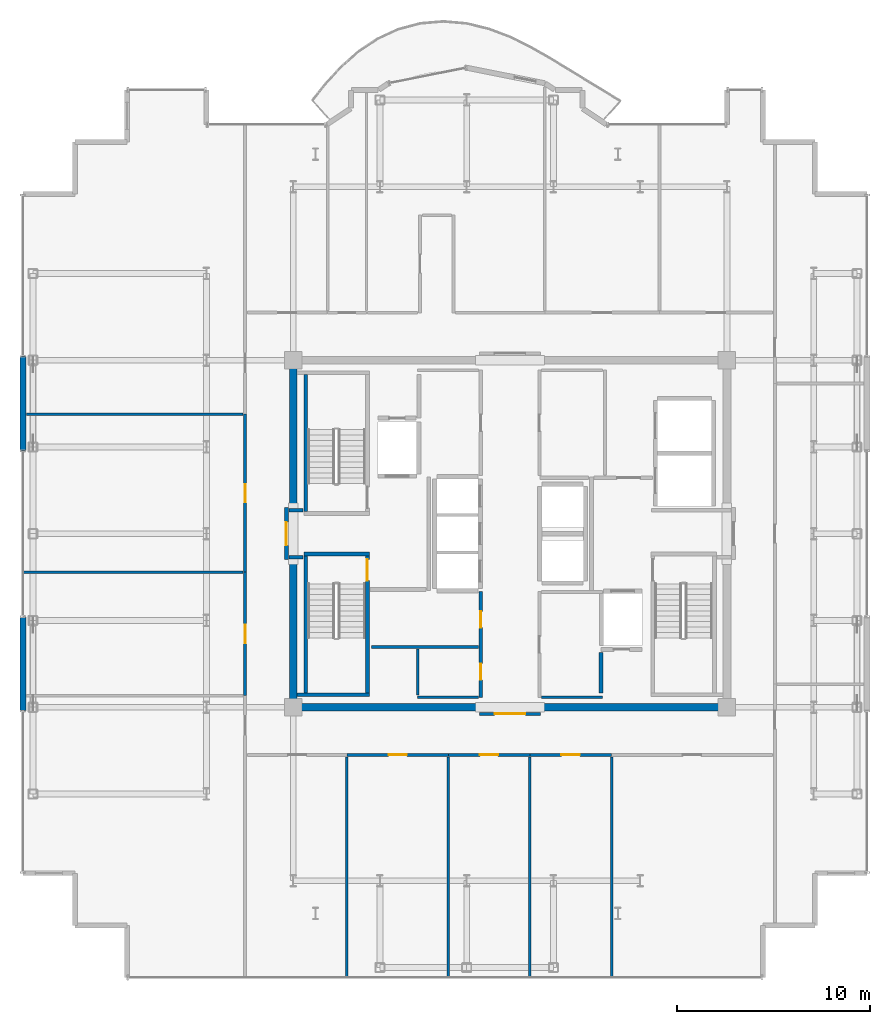
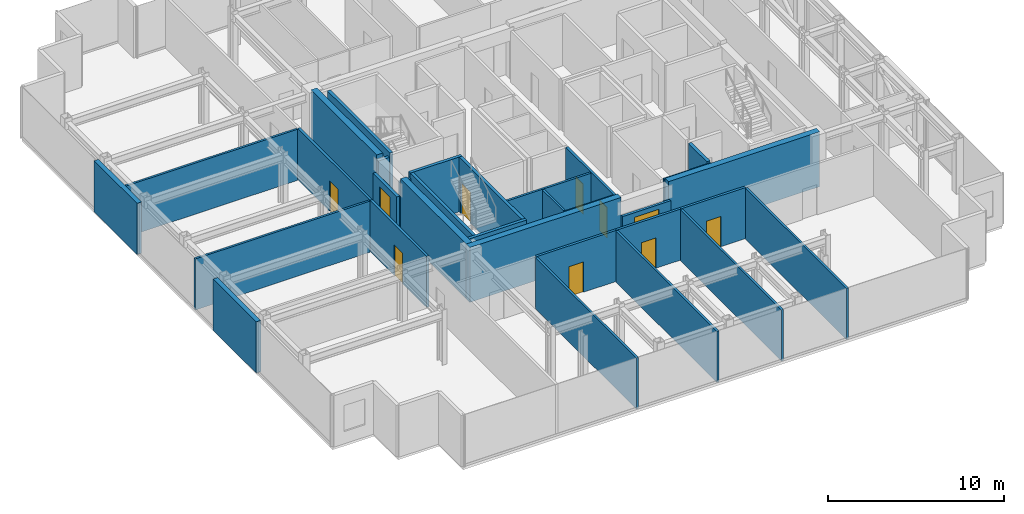
# One storey, part 11 of 16: 32 walls, 10 doors, 10 openings.
"""IFC4 building model written with IfcOpenShell, lengths in metres."""

from ifc_helpers import new_model, si_unit, direction, frame, frame_2d, origin, place, context, subcontext, project, spatial, rectangle, extrude, source, transform, mapped, material, layer, layer_set, type_object, element, fill, save


model = new_model("IFC4")

# Units and contexts
model_context = context("Model", 3, precision=1e-05, world=origin(), true_north=direction((0.0, 1.0)))
body_context = subcontext(model_context, "Body", "Model", "MODEL_VIEW")
ifc_project = project(units=[si_unit("LENGTHUNIT", "METRE"), si_unit("AREAUNIT", "SQUARE_METRE"), si_unit("VOLUMEUNIT", "CUBIC_METRE"), si_unit("PLANEANGLEUNIT", "RADIAN"), si_unit("MASSUNIT", "GRAM", prefix="KILO")], contexts=[model_context])

# Site, building, storey
site_placement = place(None, origin())
site = spatial("IfcSite", under=ifc_project, at=site_placement, CompositionType="ELEMENT")
building_placement = place(site_placement, origin())
building = spatial("IfcBuilding", under=site, at=building_placement, Name="Nefas-Gora Pilgrimage Tower", CompositionType="ELEMENT")
storey_placement = place(building_placement, frame((0.0, 0.0, 322.39990234375)))
storey = spatial("IfcBuildingStorey", under=building, at=storey_placement, Name="L81", CompositionType="ELEMENT", Elevation=322.39990234375)

# Walls
ifc_material_1 = material(Name="Concrete C50/60", Category="concrete")
ifc_layer_1 = layer(ifc_material_1, 0.39990234375)
ifc_layer_set_1 = layer_set([ifc_layer_1], Name="Concrete C50/60")
wall_type_1 = type_object("IfcWallType", Name="SW-CORE-400", PredefinedType="SHEAR", material=ifc_layer_set_1)
shared_shape_1 = source(origin(), body_context, "Body", "SweptSolid", [
    extrude(rectangle(XDim=9.89990234375, YDim=0.39990234375, at=frame_2d((4.949951171875, 0.0))), origin(), (0.0, 0.0, 1.0), 3.800048828125),
])
for number, where, z_axis, x_axis, name in (
    (1, (-11.449951171875, -9.0, 0.0), (0.0, 0.0, 1.0), (1.0, 0.0, 0.0), "L81 Core Shear Wall S-West"),
    (2, (1.550048828125, -9.0, 0.0), (0.0, 0.0, 1.0), (1.0, 0.0, 0.0), "L81 Core Shear Wall S-East"),
):
    element("IfcWall", number, at=place(storey_placement, frame(where, z_axis=z_axis, x_axis=x_axis)), inside=storey, type_object=wall_type_1, Name=name, PredefinedType="SHEAR", context=body_context, shape_type="MappedRepresentation", body=[
        mapped(shared_shape_1, transform((0.0, 0.0, 0.0), x_axis=(1.0, 0.0, 0.0), y_axis=(0.0, 1.0, 0.0), z_axis=(0.0, 0.0, 1.0), scale=1.0)),
    ])
shared_shape_2 = source(origin(), body_context, "Body", "SweptSolid", [
    extrude(rectangle(XDim=7.449951171875, YDim=0.39990234375, at=frame_2d((3.72509765625, 0.0))), origin(), (0.0, 0.0, 1.0), 3.800048828125),
])
for number, where, z_axis, x_axis, name in (
    (3, (-11.25, -8.800048828125, 0.0), (0.0, 0.0, 1.0), (0.0, 1.0, 0.0), "L81 Core Shear Wall W-South"),
    (4, (-11.25, 1.35009765625, 0.0), (0.0, 0.0, 1.0), (0.0, 1.0, 0.0), "L81 Core Shear Wall W-North"),
):
    element("IfcWall", number, at=place(storey_placement, frame(where, z_axis=z_axis, x_axis=x_axis)), inside=storey, type_object=wall_type_1, Name=name, PredefinedType="SHEAR", context=body_context, shape_type="MappedRepresentation", body=[
        mapped(shared_shape_2, transform((0.0, 0.0, 0.0), x_axis=(1.0, 0.0, 0.0), y_axis=(0.0, 1.0, 0.0), z_axis=(0.0, 0.0, 1.0), scale=1.0)),
    ])
ifc_material_2 = material(Name="Precast concrete C45/55", Category="concrete")
ifc_layer_2 = layer(ifc_material_2, 0.239990234375)
ifc_layer_set_2 = layer_set([ifc_layer_2], Name="Precast concrete C45/55")
wall_type_2 = type_object("IfcWallType", Name="EW-SERR-240", PredefinedType="SHEAR", material=ifc_layer_set_2)
shared_shape_3 = source(origin(), body_context, "Body", "SweptSolid", [
    extrude(rectangle(XDim=4.8798828125, YDim=0.300048828125, at=frame_2d((2.43994140625, 0.0))), origin(), (0.0, 0.0, 1.0), 3.550048828125),
])
for number, where, z_axis, x_axis, name in (
    (5, (-25.27001953125, -9.18994140625, 0.0), (0.0, 0.0, 1.0), (0.0, 1.0, 0.0), "L81 Braced-Tube Precast Shear Cladding 1"),
    (6, (-25.27001953125, 4.31005859375, 0.0), (0.0, 0.0, 1.0), (0.0, 1.0, 0.0), "L81 Braced-Tube Precast Shear Cladding 2"),
):
    element("IfcWall", number, at=place(storey_placement, frame(where, z_axis=z_axis, x_axis=x_axis)), inside=storey, type_object=wall_type_2, Name=name, PredefinedType="SHEAR", context=body_context, shape_type="MappedRepresentation", body=[
        mapped(shared_shape_3, transform((0.0, 0.0, 0.0), x_axis=(1.0, 0.0, 0.0), y_axis=(0.0, 1.0, 0.0), z_axis=(0.0, 0.0, 1.0), scale=1.0)),
    ])
ifc_material_3 = material(Name="Concrete C45/55", Category="concrete")
ifc_layer_3 = layer(ifc_material_3, 0.199951171875)
ifc_layer_set_3 = layer_set([ifc_layer_3], Name="Concrete C45/55")
wall_type_3 = type_object("IfcWallType", Name="IW-STAIR-200", PredefinedType="SOLIDWALL", material=ifc_layer_set_3)
shared_shape_4 = source(origin(), body_context, "Body", "SweptSolid", [
    extrude(rectangle(XDim=3.39990234375, YDim=0.199951171875, at=frame_2d((1.699951171875, 0.0))), origin(), (0.0, 0.0, 1.0), 3.800048828125),
])
wall_1_placement = place(storey_placement, frame((-10.699951171875, -1.050048828125, 0.0), z_axis=(0.0, 0.0, 1.0), x_axis=(1.0, 0.0, 0.0)))
element("IfcWall", 7, at=wall_1_placement, inside=storey, type_object=wall_type_3, Name="L81 Stairwell Shear Wall ST-03-near", PredefinedType="SOLIDWALL", context=body_context, shape_type="MappedRepresentation", body=[
    mapped(shared_shape_4, transform((0.0, 0.0, 0.0), x_axis=(1.0, 0.0, 0.0), y_axis=(0.0, 1.0, 0.0), z_axis=(0.0, 0.0, 1.0), scale=1.0)),
])
shared_shape_5 = source(origin(), body_context, "Body", "SweptSolid", [
    extrude(rectangle(XDim=7.10009765625, YDim=0.199951171875, at=frame_2d((3.550048828125, 0.0))), origin(), (0.0, 0.0, 1.0), 3.800048828125),
])
for number, where, z_axis, x_axis, name in (
    (8, (-10.60009765625, 1.14990234375, 0.0), (0.0, 0.0, 1.0), (0.0, 1.0, 0.0), "L81 Stairwell Shear Wall ST-01-right"),
    (9, (-10.60009765625, -1.14990234375, 0.0), (0.0, 0.0, 1.0), (0.0, -1.0, 0.0), "L81 Stairwell Shear Wall ST-03-left"),
):
    element("IfcWall", number, at=place(storey_placement, frame(where, z_axis=z_axis, x_axis=x_axis)), inside=storey, type_object=wall_type_3, Name=name, PredefinedType="SOLIDWALL", context=body_context, shape_type="MappedRepresentation", body=[
        mapped(shared_shape_5, transform((0.0, 0.0, 0.0), x_axis=(1.0, 0.0, 0.0), y_axis=(0.0, 1.0, 0.0), z_axis=(0.0, 0.0, 1.0), scale=1.0)),
    ])

# Wall, opening, door
wall_2_placement = place(storey_placement, frame((-7.39990234375, -1.14990234375, 0.0), z_axis=(0.0, 0.0, 1.0), x_axis=(0.0, -1.0, 0.0)))
wall_2 = element("IfcWall", 10, at=wall_2_placement, inside=storey, type_object=wall_type_3, Name="L81 Stairwell Shear Wall ST-03-right", PredefinedType="SOLIDWALL", context=body_context, shape_type="MappedRepresentation", body=[
    mapped(shared_shape_5, transform((0.0, 0.0, 0.0), x_axis=(1.0, 0.0, 0.0), y_axis=(0.0, 1.0, 0.0), z_axis=(0.0, 0.0, 1.0), scale=1.0)),
])
opening_1_placement = place(wall_2_placement, frame((0.179931640625, 0.0, 0.0)))
opening_1 = element("IfcOpeningElement", 11, at=opening_1_placement, cuts=wall_2, Name="Opening ID-ST1", PredefinedType="OPENING", context=body_context, shape_type="SweptSolid", body=[
    extrude(rectangle(XDim=1.10009765625, YDim=2.14990234375, at=frame_2d((0.550048828125, 1.074951171875))), frame((0.0, 0.10986328125, 0.0), z_axis=(0.0, -1.0, 0.0), x_axis=(1.0, 0.0, 0.0)), (0.0, 0.0, 1.0), 0.219970703125),
])
ifc_material_4 = material(Name="Painted galvanised steel fire stair door", Category="steel")
door_type_1 = type_object("IfcDoorType", Name="DR-INT-STAIR-1100", OperationType="NOTDEFINED", PredefinedType="DOOR", material=ifc_material_4)
shared_shape_6 = source(origin(), body_context, "Body", "SweptSolid", [
    extrude(rectangle(XDim=1.10009765625, YDim=2.14990234375, at=frame_2d((0.550048828125, 1.074951171875))), frame((0.0, 0.02490234375, 0.0), z_axis=(0.0, -1.0, 0.0), x_axis=(1.0, 0.0, 0.0)), (0.0, 0.0, 1.0), 0.050048828125),
])
door_1_placement = place(opening_1_placement, origin())
door_1 = element("IfcDoor", 12, at=door_1_placement, inside=storey, type_object=door_type_1, Name="L81 Protected Exit Stair Door ST-03", OperationType="SINGLE_SWING_LEFT", OverallHeight=2.14990234375, OverallWidth=1.10009765625, PredefinedType="DOOR", context=body_context, shape_type="MappedRepresentation", body=[
    mapped(shared_shape_6, transform((0.0, 0.0, 0.0), x_axis=(1.0, 0.0, 0.0), y_axis=(0.0, 1.0, 0.0), z_axis=(0.0, 0.0, 1.0), scale=1.0)),
])
fill(opening_1, door_1)

# Walls
shared_shape_7 = source(origin(), body_context, "Body", "SweptSolid", [
    extrude(rectangle(XDim=3.7548828125, YDim=0.199951171875, at=frame_2d((1.87744140625, 0.0))), origin(), (0.0, 0.0, 1.0), 3.800048828125),
])
wall_3_placement = place(storey_placement, frame((-11.054931640625, -8.35009765625, 0.0), z_axis=(0.0, 0.0, 1.0), x_axis=(1.0, 0.0, 0.0)))
element("IfcWall", 13, at=wall_3_placement, inside=storey, type_object=wall_type_3, Name="L81 Stairwell Shear Wall ST-03-far", PredefinedType="SOLIDWALL", context=body_context, shape_type="MappedRepresentation", body=[
    mapped(shared_shape_7, transform((0.0, 0.0, 0.0), x_axis=(1.0, 0.0, 0.0), y_axis=(0.0, 1.0, 0.0), z_axis=(0.0, 0.0, 1.0), scale=1.0)),
])
ifc_material_5 = material(Name="Gypsum fire-rated shaftwall")
ifc_layer_4 = layer(ifc_material_5, 0.199951171875)
ifc_layer_set_4 = layer_set([ifc_layer_4], Name="Gypsum fire-rated shaftwall")
wall_type_4 = type_object("IfcWallType", Name="IW-FFLOB-200", PredefinedType="PARTITIONING", material=ifc_layer_set_4)
shared_shape_8 = source(origin(), body_context, "Body", "SweptSolid", [
    extrude(rectangle(XDim=0.719970703125, YDim=0.199951171875, at=frame_2d((0.35986328125, 0.0))), origin(), (0.0, 0.0, 1.0), 3.53515625),
])
for number, where, z_axis, x_axis, name in (
    (14, (-11.4599609375, 1.219970703125, 0.0), (0.0, 0.0, 1.0), (1.0, 0.0, 0.0), "L81 FF Lobby West Throat N Wall 8"),
    (15, (-11.4599609375, -1.219970703125, 0.0), (0.0, 0.0, 1.0), (1.0, 0.0, 0.0), "L81 FF Lobby West Throat S Wall 9"),
):
    element("IfcWall", number, at=place(storey_placement, frame(where, z_axis=z_axis, x_axis=x_axis)), inside=storey, type_object=wall_type_4, Name=name, PredefinedType="PARTITIONING", context=body_context, shape_type="MappedRepresentation", body=[
        mapped(shared_shape_8, transform((0.0, 0.0, 0.0), x_axis=(1.0, 0.0, 0.0), y_axis=(0.0, 1.0, 0.0), z_axis=(0.0, 0.0, 1.0), scale=1.0)),
    ])
ifc_material_6 = material(Name="Gypsum twin-stud partition")
ifc_layer_5 = layer(ifc_material_6, 0.139892578125)
ifc_layer_set_5 = layer_set([ifc_layer_5], Name="Gypsum twin-stud partition")
wall_type_5 = type_object("IfcWallType", Name="IW-UNIT-140", PredefinedType="PARTITIONING", material=ifc_layer_set_5)
shared_shape_9 = source(origin(), body_context, "Body", "SweptSolid", [
    extrude(rectangle(XDim=3.150146484375, YDim=0.139892578125, at=frame_2d((1.5751953125, 0.0))), origin(), (0.0, 0.0, 1.0), 3.53515625),
])
for number, where, z_axis, x_axis, name in (
    (16, (-4.7900390625, -8.47998046875, 0.0), (0.0, 0.0, 1.0), (1.0, 0.0, 0.0), "L81 Freed Bank-2 West Supply Vault Partition Wall 25"),
    (17, (1.639892578125, -8.47998046875, 0.0), (0.0, 0.0, 1.0), (1.0, 0.0, 0.0), "L81 Freed Bank-2 East Linen Store Partition Wall 29"),
):
    element("IfcWall", number, at=place(storey_placement, frame(where, z_axis=z_axis, x_axis=x_axis)), inside=storey, type_object=wall_type_5, Name=name, PredefinedType="PARTITIONING", context=body_context, shape_type="MappedRepresentation", body=[
        mapped(shared_shape_9, transform((0.0, 0.0, 0.0), x_axis=(1.0, 0.0, 0.0), y_axis=(0.0, 1.0, 0.0), z_axis=(0.0, 0.0, 1.0), scale=1.0)),
    ])
shared_shape_10 = source(origin(), body_context, "Body", "SweptSolid", [
    extrude(rectangle(XDim=11.429931640625, YDim=0.139892578125, at=frame_2d((5.71484375, 0.0))), origin(), (0.0, 0.0, 1.0), 3.53515625),
])
wall_4_placement = place(storey_placement, frame((-25.2900390625, -2.0048828125, 0.0), z_axis=(0.0, 0.0, 1.0), x_axis=(1.0, 0.0, 0.0)))
element("IfcWall", 18, at=wall_4_placement, inside=storey, type_object=wall_type_5, Name="L81 Pilgrim Tea and Beverage Pantry Partition Wall 36", PredefinedType="PARTITIONING", context=body_context, shape_type="MappedRepresentation", body=[
    mapped(shared_shape_10, transform((0.0, 0.0, 0.0), x_axis=(1.0, 0.0, 0.0), y_axis=(0.0, 1.0, 0.0), z_axis=(0.0, 0.0, 1.0), scale=1.0)),
])

# Wall, openings, doors
ifc_material_7 = material(Name="Gypsum acoustic stud partition")
ifc_layer_6 = layer(ifc_material_7, 0.159912109375)
ifc_layer_set_6 = layer_set([ifc_layer_6], Name="Gypsum acoustic stud partition")
wall_type_6 = type_object("IfcWallType", Name="IW-CORR-160", PredefinedType="PARTITIONING", material=ifc_layer_set_6)
shared_shape_11 = source(origin(), body_context, "Body", "SweptSolid", [
    extrude(rectangle(XDim=5.47998046875, YDim=0.159912109375, at=frame_2d((2.739990234375, 0.0))), origin(), (0.0, 0.0, 1.0), 3.53515625),
])
wall_5_placement = place(storey_placement, frame((-1.52001953125, -8.489990234375, 0.0), z_axis=(0.0, 0.0, 1.0), x_axis=(0.0, 1.0, 0.0)))
wall_5 = element("IfcWall", 19, at=wall_5_placement, inside=storey, type_object=wall_type_6, Name="L81 Pilgrim Baggage and Gear Vault Wall 21", PredefinedType="PARTITIONING", context=body_context, shape_type="MappedRepresentation", body=[
    mapped(shared_shape_11, transform((0.0, 0.0, 0.0), x_axis=(1.0, 0.0, 0.0), y_axis=(0.0, 1.0, 0.0), z_axis=(0.0, 0.0, 1.0), scale=1.0)),
])
opening_2_placement = place(wall_5_placement, frame((0.907470703125, 0.0, 0.0)))
opening_2 = element("IfcOpeningElement", 20, at=opening_2_placement, cuts=wall_5, Name="Opening ID-BT1", PredefinedType="OPENING", context=body_context, shape_type="SweptSolid", body=[
    extrude(rectangle(XDim=0.85009765625, YDim=2.10009765625, at=frame_2d((0.425048828125, 1.050048828125))), frame((0.0, 0.08984375, 0.0), z_axis=(0.0, -1.0, 0.0), x_axis=(1.0, 0.0, 0.0)), (0.0, 0.0, 1.0), 0.179931640625),
])
opening_3_placement = place(wall_5_placement, frame((3.614990234375, 0.0, 0.0)))
opening_3 = element("IfcOpeningElement", 21, at=opening_3_placement, cuts=wall_5, Name="Opening ID-BT1", PredefinedType="OPENING", context=body_context, shape_type="SweptSolid", body=[
    extrude(rectangle(XDim=0.85009765625, YDim=2.10009765625, at=frame_2d((0.425048828125, 1.050048828125))), frame((0.0, 0.08984375, 0.0), z_axis=(0.0, -1.0, 0.0), x_axis=(1.0, 0.0, 0.0)), (0.0, 0.0, 1.0), 0.179931640625),
])
ifc_material_8 = material(Name="Moisture-resistant fire-rated timber door", Category="wood")
door_type_2 = type_object("IfcDoorType", Name="DR-INT-BATH-850", OperationType="NOTDEFINED", PredefinedType="DOOR", material=ifc_material_8)
shared_shape_12 = source(origin(), body_context, "Body", "SweptSolid", [
    extrude(rectangle(XDim=0.85009765625, YDim=2.10009765625, at=frame_2d((0.425048828125, 1.050048828125))), frame((0.0, 0.02490234375, 0.0), z_axis=(0.0, -1.0, 0.0), x_axis=(1.0, 0.0, 0.0)), (0.0, 0.0, 1.0), 0.050048828125),
])
door_2_placement = place(opening_2_placement, origin())
door_2 = element("IfcDoor", 22, at=door_2_placement, inside=storey, type_object=door_type_2, Name="L81 Freed Bank-2 West Supply Vault Door 9", OperationType="SINGLE_SWING_RIGHT", OverallHeight=2.10009765625, OverallWidth=0.85009765625, PredefinedType="DOOR", context=body_context, shape_type="MappedRepresentation", body=[
    mapped(shared_shape_12, transform((0.0, 0.0, 0.0), x_axis=(1.0, 0.0, 0.0), y_axis=(0.0, 1.0, 0.0), z_axis=(0.0, 0.0, 1.0), scale=1.0)),
])
fill(opening_2, door_2)
door_3_placement = place(opening_3_placement, origin())
door_3 = element("IfcDoor", 23, at=door_3_placement, inside=storey, type_object=door_type_2, Name="L81 Pilgrim Baggage and Gear Vault Door 10", OperationType="SINGLE_SWING_LEFT", OverallHeight=2.10009765625, OverallWidth=0.85009765625, PredefinedType="DOOR", context=body_context, shape_type="MappedRepresentation", body=[
    mapped(shared_shape_12, transform((0.0, 0.0, 0.0), x_axis=(1.0, 0.0, 0.0), y_axis=(0.0, 1.0, 0.0), z_axis=(0.0, 0.0, 1.0), scale=1.0)),
])
fill(opening_3, door_3)

# Wall
shared_shape_13 = source(origin(), body_context, "Body", "SweptSolid", [
    extrude(rectangle(XDim=11.219970703125, YDim=0.139892578125, at=frame_2d((5.60986328125, 0.0))), origin(), (0.0, 0.0, 1.0), 3.53515625),
])
wall_6_placement = place(storey_placement, frame((-25.080078125, 6.195068359375, 0.0), z_axis=(0.0, 0.0, 1.0), x_axis=(1.0, 0.0, 0.0)))
element("IfcWall", 24, at=wall_6_placement, inside=storey, type_object=wall_type_5, Name="L81 Pilgrim Tea and Beverage Pantry Partition Wall 38", PredefinedType="PARTITIONING", context=body_context, shape_type="MappedRepresentation", body=[
    mapped(shared_shape_13, transform((0.0, 0.0, 0.0), x_axis=(1.0, 0.0, 0.0), y_axis=(0.0, 1.0, 0.0), z_axis=(0.0, 0.0, 1.0), scale=1.0)),
])

# Wall, opening, door
shared_shape_14 = source(origin(), body_context, "Body", "SweptSolid", [
    extrude(rectangle(XDim=2.7001953125, YDim=0.199951171875, at=frame_2d((1.35009765625, 0.0))), origin(), (0.0, 0.0, 1.0), 2.625),
])
wall_7_placement = place(storey_placement, frame((-11.60009765625, -1.35009765625, 0.0), z_axis=(0.0, 0.0, 1.0), x_axis=(0.0, 1.0, 0.0)))
wall_7 = element("IfcWall", 25, at=wall_7_placement, inside=storey, type_object=wall_type_4, Name="L81 FF Lobby West Portal Wall 5", PredefinedType="PARTITIONING", context=body_context, shape_type="MappedRepresentation", body=[
    mapped(shared_shape_14, transform((0.0, 0.0, 0.0), x_axis=(1.0, 0.0, 0.0), y_axis=(0.0, 1.0, 0.0), z_axis=(0.0, 0.0, 1.0), scale=1.0)),
])
opening_4_placement = place(wall_7_placement, frame((0.75, 0.0, 0.0)))
opening_4 = element("IfcOpeningElement", 26, at=opening_4_placement, cuts=wall_7, Name="Opening ID-FF1", PredefinedType="OPENING", context=body_context, shape_type="SweptSolid", body=[
    extrude(rectangle(XDim=1.199951171875, YDim=2.14990234375, at=frame_2d((0.60009765625, 1.074951171875))), frame((0.0, 0.10986328125, 0.0), z_axis=(0.0, -1.0, 0.0), x_axis=(1.0, 0.0, 0.0)), (0.0, 0.0, 1.0), 0.219970703125),
])
ifc_material_9 = material(Name="Smoke-sealed steel firefighting lobby door", Category="steel")
door_type_3 = type_object("IfcDoorType", Name="DR-INT-FFLOB-1200", OperationType="NOTDEFINED", PredefinedType="DOOR", material=ifc_material_9)
shared_shape_15 = source(origin(), body_context, "Body", "SweptSolid", [
    extrude(rectangle(XDim=1.199951171875, YDim=2.14990234375, at=frame_2d((0.60009765625, 1.074951171875))), frame((0.0, 0.02490234375, 0.0), z_axis=(0.0, -1.0, 0.0), x_axis=(1.0, 0.0, 0.0)), (0.0, 0.0, 1.0), 0.050048828125),
])
door_4_placement = place(opening_4_placement, origin())
door_4 = element("IfcDoor", 27, at=door_4_placement, inside=storey, type_object=door_type_3, Name="L81 FF Lobby West Portal Door 3", OperationType="SINGLE_SWING_RIGHT", OverallHeight=2.14990234375, OverallWidth=1.199951171875, PredefinedType="DOOR", context=body_context, shape_type="MappedRepresentation", body=[
    mapped(shared_shape_15, transform((0.0, 0.0, 0.0), x_axis=(1.0, 0.0, 0.0), y_axis=(0.0, 1.0, 0.0), z_axis=(0.0, 0.0, 1.0), scale=1.0)),
])
fill(opening_4, door_4)

shared_shape_16 = source(origin(), body_context, "Body", "SweptSolid", [
    extrude(rectangle(XDim=3.16015625, YDim=0.159912109375, at=frame_2d((1.580078125, 0.0))), origin(), (0.0, 0.0, 1.0), 2.625),
])
wall_8_placement = place(storey_placement, frame((-1.580078125, -9.35009765625, 0.0), z_axis=(0.0, 0.0, 1.0), x_axis=(1.0, 0.0, 0.0)))
wall_8 = element("IfcWall", 28, at=wall_8_placement, inside=storey, type_object=wall_type_6, Name="L81 Central Lift Lobby South Portal Wall 17", PredefinedType="PARTITIONING", context=body_context, shape_type="MappedRepresentation", body=[
    mapped(shared_shape_16, transform((0.0, 0.0, 0.0), x_axis=(1.0, 0.0, 0.0), y_axis=(0.0, 1.0, 0.0), z_axis=(0.0, 0.0, 1.0), scale=1.0)),
])
opening_5_placement = place(wall_8_placement, frame((0.780029296875, 0.0, 0.0)))
opening_5 = element("IfcOpeningElement", 29, at=opening_5_placement, cuts=wall_8, Name="Opening ID-HL1", PredefinedType="OPENING", context=body_context, shape_type="SweptSolid", body=[
    extrude(rectangle(XDim=1.60009765625, YDim=2.300048828125, at=frame_2d((0.800048828125, 1.14990234375))), frame((0.0, 0.08984375, 0.0), z_axis=(0.0, -1.0, 0.0), x_axis=(1.0, 0.0, 0.0)), (0.0, 0.0, 1.0), 0.179931640625),
])
ifc_material_10 = material(Name="Double acoustic timber assembly hall door", Category="wood")
door_type_4 = type_object("IfcDoorType", Name="DR-INT-HALL-1600", OperationType="DOUBLE_DOOR_SINGLE_SWING", PredefinedType="DOOR", material=ifc_material_10)
shared_shape_17 = source(origin(), body_context, "Body", "SweptSolid", [
    extrude(rectangle(XDim=1.60009765625, YDim=2.300048828125, at=frame_2d((0.800048828125, 1.14990234375))), frame((0.0, 0.02490234375, 0.0), z_axis=(0.0, -1.0, 0.0), x_axis=(1.0, 0.0, 0.0)), (0.0, 0.0, 1.0), 0.050048828125),
])
door_5_placement = place(opening_5_placement, origin())
door_5 = element("IfcDoor", 30, at=door_5_placement, inside=storey, type_object=door_type_4, Name="L81 Central Lift Lobby South Portal Door 7", OperationType="DOUBLE_DOOR_SINGLE_SWING", OverallHeight=2.300048828125, OverallWidth=1.60009765625, PredefinedType="DOOR", context=body_context, shape_type="MappedRepresentation", body=[
    mapped(shared_shape_17, transform((0.0, 0.0, 0.0), x_axis=(1.0, 0.0, 0.0), y_axis=(0.0, 1.0, 0.0), z_axis=(0.0, 0.0, 1.0), scale=1.0)),
])
fill(opening_5, door_5)

# Walls
ifc_material_11 = material(Name="Concrete C40/50", Category="concrete")
ifc_layer_7 = layer(ifc_material_11, 0.219970703125)
ifc_layer_set_7 = layer_set([ifc_layer_7], Name="Concrete C40/50")
wall_type_7 = type_object("IfcWallType", Name="IW-SHAFT-220", PredefinedType="SOLIDWALL", material=ifc_layer_set_7)
shared_shape_18 = source(origin(), body_context, "Body", "SweptSolid", [
    extrude(rectangle(XDim=2.10009765625, YDim=0.219970703125, at=frame_2d((1.050048828125, 0.0))), origin(), (0.0, 0.0, 1.0), 3.53515625),
])
wall_9_placement = place(storey_placement, frame((4.719970703125, -8.25, 0.0), z_axis=(0.0, 0.0, 1.0), x_axis=(0.0, 1.0, 0.0)))
element("IfcWall", 31, at=wall_9_placement, inside=storey, type_object=wall_type_7, Name="L81 Riser Shaft Wall 4", PredefinedType="SOLIDWALL", context=body_context, shape_type="MappedRepresentation", body=[
    mapped(shared_shape_18, transform((0.0, 0.0, 0.0), x_axis=(1.0, 0.0, 0.0), y_axis=(0.0, 1.0, 0.0), z_axis=(0.0, 0.0, 1.0), scale=1.0)),
])
shared_shape_19 = source(origin(), body_context, "Body", "SweptSolid", [
    extrude(rectangle(XDim=11.449951171875, YDim=0.139892578125, at=frame_2d((5.72509765625, 0.0))), origin(), (0.0, 0.0, 1.0), 3.53515625),
])
for number, where, z_axis, x_axis, name in (
    (32, (-8.469970703125, -23.0400390625, 0.0), (0.0, 0.0, 1.0), (0.0, 1.0, 0.0), "L81 Pilgrim Contemplative Lounge Partition Wall 56"),
    (33, (-3.205078125, -23.0400390625, 0.0), (0.0, 0.0, 1.0), (0.0, 1.0, 0.0), "L81 Pilgrim Contemplative Lounge Partition Wall 58"),
    (34, (5.27001953125, -23.0400390625, 0.0), (0.0, 0.0, 1.0), (0.0, 1.0, 0.0), "L81 Pilgrim Contemplative Lounge Partition Wall 60"),
    (35, (1.017578125, -23.0400390625, 0.0), (0.0, 0.0, 1.0), (0.0, 1.0, 0.0), "L81 Pilgrim Contemplative Lounge Partition Wall 62"),
):
    element("IfcWall", number, at=place(storey_placement, frame(where, z_axis=z_axis, x_axis=x_axis)), inside=storey, type_object=wall_type_5, Name=name, PredefinedType="PARTITIONING", context=body_context, shape_type="MappedRepresentation", body=[
        mapped(shared_shape_19, transform((0.0, 0.0, 0.0), x_axis=(1.0, 0.0, 0.0), y_axis=(0.0, 1.0, 0.0), z_axis=(0.0, 0.0, 1.0), scale=1.0)),
    ])
shared_shape_20 = source(origin(), body_context, "Body", "SweptSolid", [
    extrude(rectangle(XDim=5.550048828125, YDim=0.139892578125, at=frame_2d((2.77490234375, 0.0))), origin(), (0.0, 0.0, 1.0), 3.53515625),
])
wall_10_placement = place(storey_placement, frame((-7.18994140625, -5.8798828125, 0.0), z_axis=(0.0, 0.0, 1.0), x_axis=(1.0, 0.0, 0.0)))
element("IfcWall", 36, at=wall_10_placement, inside=storey, type_object=wall_type_5, Name="L81 Pilgrim Baggage and Gear Vault Partition Wall 22", PredefinedType="PARTITIONING", context=body_context, shape_type="MappedRepresentation", body=[
    mapped(shared_shape_20, transform((0.0, 0.0, 0.0), x_axis=(1.0, 0.0, 0.0), y_axis=(0.0, 1.0, 0.0), z_axis=(0.0, 0.0, 1.0), scale=1.0)),
])
shared_shape_21 = source(origin(), body_context, "Body", "SweptSolid", [
    extrude(rectangle(XDim=2.380126953125, YDim=0.139892578125, at=frame_2d((1.18994140625, 0.0))), origin(), (0.0, 0.0, 1.0), 3.53515625),
])
wall_11_placement = place(storey_placement, frame((-4.780029296875, -8.3701171875, 0.0), z_axis=(0.0, 0.0, 1.0), x_axis=(0.0, 1.0, 0.0)))
element("IfcWall", 37, at=wall_11_placement, inside=storey, type_object=wall_type_5, Name="L81 Freed Bank-2 West Supply Vault Partition Wall 26", PredefinedType="PARTITIONING", context=body_context, shape_type="MappedRepresentation", body=[
    mapped(shared_shape_21, transform((0.0, 0.0, 0.0), x_axis=(1.0, 0.0, 0.0), y_axis=(0.0, 1.0, 0.0), z_axis=(0.0, 0.0, 1.0), scale=1.0)),
])

# Wall, opening, door
shared_shape_22 = source(origin(), body_context, "Body", "SweptSolid", [
    extrude(rectangle(XDim=6.409912109375, YDim=0.159912109375, at=frame_2d((3.205078125, 0.0))), origin(), (0.0, 0.0, 1.0), 3.53515625),
])
wall_12_placement = place(storey_placement, frame((-13.739990234375, -8.405029296875, 0.0), z_axis=(0.0, 0.0, 1.0), x_axis=(0.0, 1.0, 0.0)))
wall_12 = element("IfcWall", 38, at=wall_12_placement, inside=storey, type_object=wall_type_6, Name="L81 Pilgrim Tea and Beverage Pantry Partition Wall 35", PredefinedType="PARTITIONING", context=body_context, shape_type="MappedRepresentation", body=[
    mapped(shared_shape_22, transform((0.0, 0.0, 0.0), x_axis=(1.0, 0.0, 0.0), y_axis=(0.0, 1.0, 0.0), z_axis=(0.0, 0.0, 1.0), scale=1.0)),
])
opening_6_placement = place(wall_12_placement, frame((2.72998046875, 0.0, 0.0)))
opening_6 = element("IfcOpeningElement", 39, at=opening_6_placement, cuts=wall_12, Name="Opening ID-GR1", PredefinedType="OPENING", context=body_context, shape_type="SweptSolid", body=[
    extrude(rectangle(XDim=0.949951171875, YDim=2.10009765625, at=frame_2d((0.47509765625, 1.050048828125))), frame((0.0, 0.08984375, 0.0), z_axis=(0.0, -1.0, 0.0), x_axis=(1.0, 0.0, 0.0)), (0.0, 0.0, 1.0), 0.179931640625),
])
ifc_material_12 = material(Name="Solid core oak fire-rated guest entrance door")
door_type_5 = type_object("IfcDoorType", Name="DR-INT-GUEST-950", OperationType="NOTDEFINED", PredefinedType="DOOR", material=ifc_material_12)
shared_shape_23 = source(origin(), body_context, "Body", "SweptSolid", [
    extrude(rectangle(XDim=0.949951171875, YDim=2.10009765625, at=frame_2d((0.47509765625, 1.050048828125))), frame((0.0, 0.02490234375, 0.0), z_axis=(0.0, -1.0, 0.0), x_axis=(1.0, 0.0, 0.0)), (0.0, 0.0, 1.0), 0.050048828125),
])
door_6_placement = place(opening_6_placement, origin())
door_6 = element("IfcDoor", 40, at=door_6_placement, inside=storey, type_object=door_type_5, Name="L81 Pilgrim Tea and Beverage Pantry Door 15", OperationType="SINGLE_SWING_RIGHT", OverallHeight=2.10009765625, OverallWidth=0.949951171875, PredefinedType="DOOR", context=body_context, shape_type="MappedRepresentation", body=[
    mapped(shared_shape_23, transform((0.0, 0.0, 0.0), x_axis=(1.0, 0.0, 0.0), y_axis=(0.0, 1.0, 0.0), z_axis=(0.0, 0.0, 1.0), scale=1.0)),
])
fill(opening_6, door_6)

shared_shape_24 = source(origin(), body_context, "Body", "SweptSolid", [
    extrude(rectangle(XDim=8.2099609375, YDim=0.159912109375, at=frame_2d((4.10498046875, 0.0))), origin(), (0.0, 0.0, 1.0), 3.53515625),
])
wall_13_placement = place(storey_placement, frame((-13.739990234375, -2.0048828125, 0.0), z_axis=(0.0, 0.0, 1.0), x_axis=(0.0, 1.0, 0.0)))
wall_13 = element("IfcWall", 41, at=wall_13_placement, inside=storey, type_object=wall_type_6, Name="L81 Pilgrim Tea and Beverage Pantry Partition Wall 37", PredefinedType="PARTITIONING", context=body_context, shape_type="MappedRepresentation", body=[
    mapped(shared_shape_24, transform((0.0, 0.0, 0.0), x_axis=(1.0, 0.0, 0.0), y_axis=(0.0, 1.0, 0.0), z_axis=(0.0, 0.0, 1.0), scale=1.0)),
])
opening_7_placement = place(wall_13_placement, frame((3.6298828125, 0.0, 0.0)))
opening_7 = element("IfcOpeningElement", 42, at=opening_7_placement, cuts=wall_13, Name="Opening ID-GR1", PredefinedType="OPENING", context=body_context, shape_type="SweptSolid", body=[
    extrude(rectangle(XDim=0.949951171875, YDim=2.10009765625, at=frame_2d((0.47509765625, 1.050048828125))), frame((0.0, 0.08984375, 0.0), z_axis=(0.0, -1.0, 0.0), x_axis=(1.0, 0.0, 0.0)), (0.0, 0.0, 1.0), 0.179931640625),
])
door_7_placement = place(opening_7_placement, origin())
door_7 = element("IfcDoor", 43, at=door_7_placement, inside=storey, type_object=door_type_5, Name="L81 Pilgrim Tea and Beverage Pantry Door 16", OperationType="SINGLE_SWING_LEFT", OverallHeight=2.10009765625, OverallWidth=0.949951171875, PredefinedType="DOOR", context=body_context, shape_type="MappedRepresentation", body=[
    mapped(shared_shape_23, transform((0.0, 0.0, 0.0), x_axis=(1.0, 0.0, 0.0), y_axis=(0.0, 1.0, 0.0), z_axis=(0.0, 0.0, 1.0), scale=1.0)),
])
fill(opening_7, door_7)

shared_shape_25 = source(origin(), body_context, "Body", "SweptSolid", [
    extrude(rectangle(XDim=5.264892578125, YDim=0.159912109375, at=frame_2d((2.63232421875, 0.0))), origin(), (0.0, 0.0, 1.0), 3.53515625),
])
wall_14_placement = place(storey_placement, frame((-8.4599609375, -11.469970703125, 0.0), z_axis=(0.0, 0.0, 1.0), x_axis=(1.0, 0.0, 0.0)))
wall_14 = element("IfcWall", 44, at=wall_14_placement, inside=storey, type_object=wall_type_6, Name="L81 Pilgrim Contemplative Lounge Partition Wall 57", PredefinedType="PARTITIONING", context=body_context, shape_type="MappedRepresentation", body=[
    mapped(shared_shape_25, transform((0.0, 0.0, 0.0), x_axis=(1.0, 0.0, 0.0), y_axis=(0.0, 1.0, 0.0), z_axis=(0.0, 0.0, 1.0), scale=1.0)),
])
opening_8_placement = place(wall_14_placement, frame((2.157470703125, 0.0, 0.0)))
opening_8 = element("IfcOpeningElement", 45, at=opening_8_placement, cuts=wall_14, Name="Opening ID-GR1", PredefinedType="OPENING", context=body_context, shape_type="SweptSolid", body=[
    extrude(rectangle(XDim=0.949951171875, YDim=2.10009765625, at=frame_2d((0.47509765625, 1.050048828125))), frame((0.0, 0.08984375, 0.0), z_axis=(0.0, -1.0, 0.0), x_axis=(1.0, 0.0, 0.0)), (0.0, 0.0, 1.0), 0.179931640625),
])
door_8_placement = place(opening_8_placement, origin())
door_8 = element("IfcDoor", 46, at=door_8_placement, inside=storey, type_object=door_type_5, Name="L81 Pilgrim Contemplative Lounge Door 26", OperationType="SINGLE_SWING_LEFT", OverallHeight=2.10009765625, OverallWidth=0.949951171875, PredefinedType="DOOR", context=body_context, shape_type="MappedRepresentation", body=[
    mapped(shared_shape_23, transform((0.0, 0.0, 0.0), x_axis=(1.0, 0.0, 0.0), y_axis=(0.0, 1.0, 0.0), z_axis=(0.0, 0.0, 1.0), scale=1.0)),
])
fill(opening_8, door_8)

shared_shape_26 = source(origin(), body_context, "Body", "SweptSolid", [
    extrude(rectangle(XDim=4.232666015625, YDim=0.159912109375, at=frame_2d((2.1162109375, 0.0))), origin(), (0.0, 0.0, 1.0), 3.53515625),
])
wall_15_placement = place(storey_placement, frame((-3.205078125, -11.469970703125, 0.0), z_axis=(0.0, 0.0, 1.0), x_axis=(1.0, 0.0, 0.0)))
wall_15 = element("IfcWall", 47, at=wall_15_placement, inside=storey, type_object=wall_type_6, Name="L81 Pilgrim Contemplative Lounge Partition Wall 61", PredefinedType="PARTITIONING", context=body_context, shape_type="MappedRepresentation", body=[
    mapped(shared_shape_26, transform((0.0, 0.0, 0.0), x_axis=(1.0, 0.0, 0.0), y_axis=(0.0, 1.0, 0.0), z_axis=(0.0, 0.0, 1.0), scale=1.0)),
])
opening_9_placement = place(wall_15_placement, frame((1.641357421875, 0.0, 0.0)))
opening_9 = element("IfcOpeningElement", 48, at=opening_9_placement, cuts=wall_15, Name="Opening ID-GR1", PredefinedType="OPENING", context=body_context, shape_type="SweptSolid", body=[
    extrude(rectangle(XDim=0.949951171875, YDim=2.10009765625, at=frame_2d((0.47509765625, 1.050048828125))), frame((0.0, 0.08984375, 0.0), z_axis=(0.0, -1.0, 0.0), x_axis=(1.0, 0.0, 0.0)), (0.0, 0.0, 1.0), 0.179931640625),
])
door_9_placement = place(opening_9_placement, origin())
door_9 = element("IfcDoor", 49, at=door_9_placement, inside=storey, type_object=door_type_5, Name="L81 Pilgrim Contemplative Lounge Door 28", OperationType="SINGLE_SWING_LEFT", OverallHeight=2.10009765625, OverallWidth=0.949951171875, PredefinedType="DOOR", context=body_context, shape_type="MappedRepresentation", body=[
    mapped(shared_shape_23, transform((0.0, 0.0, 0.0), x_axis=(1.0, 0.0, 0.0), y_axis=(0.0, 1.0, 0.0), z_axis=(0.0, 0.0, 1.0), scale=1.0)),
])
fill(opening_9, door_9)

shared_shape_27 = source(origin(), body_context, "Body", "SweptSolid", [
    extrude(rectangle(XDim=4.232421875, YDim=0.159912109375, at=frame_2d((2.1162109375, 0.0))), origin(), (0.0, 0.0, 1.0), 3.53515625),
])
wall_16_placement = place(storey_placement, frame((1.027587890625, -11.469970703125, 0.0), z_axis=(0.0, 0.0, 1.0), x_axis=(1.0, 0.0, 0.0)))
wall_16 = element("IfcWall", 50, at=wall_16_placement, inside=storey, type_object=wall_type_6, Name="L81 Pilgrim Contemplative Lounge Partition Wall 63", PredefinedType="PARTITIONING", context=body_context, shape_type="MappedRepresentation", body=[
    mapped(shared_shape_27, transform((0.0, 0.0, 0.0), x_axis=(1.0, 0.0, 0.0), y_axis=(0.0, 1.0, 0.0), z_axis=(0.0, 0.0, 1.0), scale=1.0)),
])
opening_10_placement = place(wall_16_placement, frame((1.641357421875, 0.0, 0.0)))
opening_10 = element("IfcOpeningElement", 51, at=opening_10_placement, cuts=wall_16, Name="Opening ID-GR1", PredefinedType="OPENING", context=body_context, shape_type="SweptSolid", body=[
    extrude(rectangle(XDim=0.949951171875, YDim=2.10009765625, at=frame_2d((0.47509765625, 1.050048828125))), frame((0.0, 0.08984375, 0.0), z_axis=(0.0, -1.0, 0.0), x_axis=(1.0, 0.0, 0.0)), (0.0, 0.0, 1.0), 0.179931640625),
])
door_10_placement = place(opening_10_placement, origin())
door_10 = element("IfcDoor", 52, at=door_10_placement, inside=storey, type_object=door_type_5, Name="L81 Pilgrim Contemplative Lounge Door 29", OperationType="SINGLE_SWING_RIGHT", OverallHeight=2.10009765625, OverallWidth=0.949951171875, PredefinedType="DOOR", context=body_context, shape_type="MappedRepresentation", body=[
    mapped(shared_shape_23, transform((0.0, 0.0, 0.0), x_axis=(1.0, 0.0, 0.0), y_axis=(0.0, 1.0, 0.0), z_axis=(0.0, 0.0, 1.0), scale=1.0)),
])
fill(opening_10, door_10)

save(model, "model.ifc")
